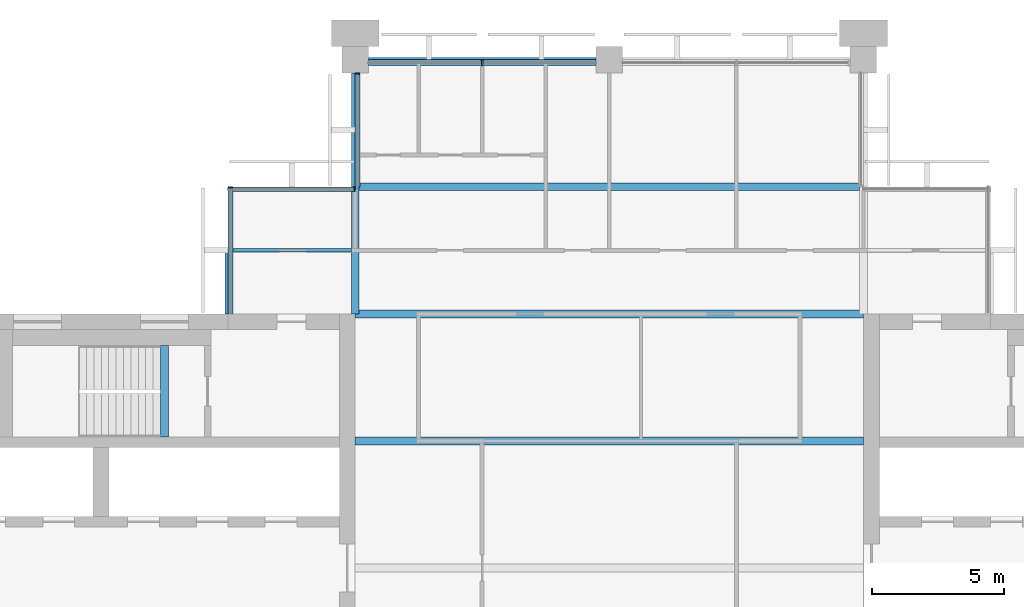
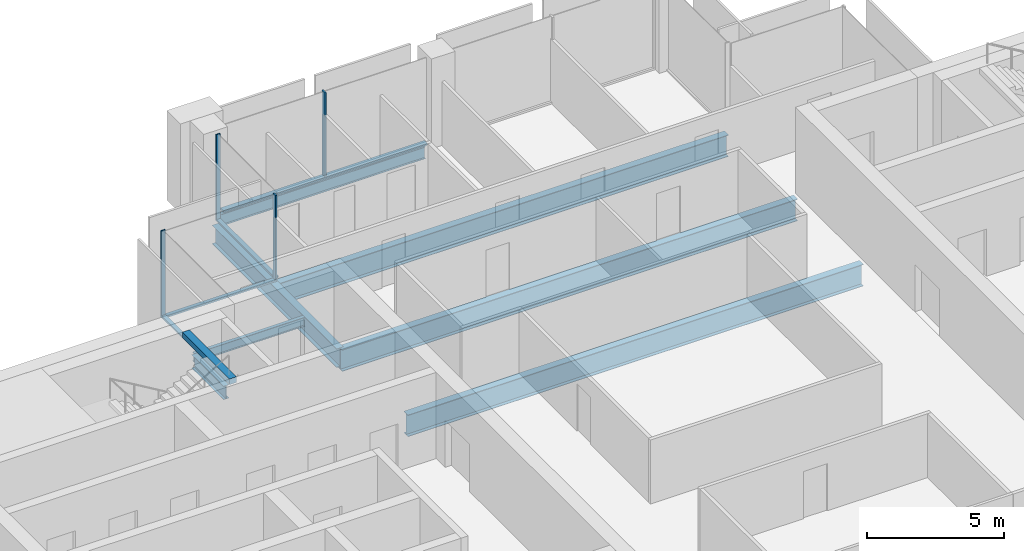
# One storey, part 5 of 13: 8 beams, 8 members, 4 elements without a shape of their own.
"""IFC4 building model written with IfcOpenShell, lengths in metres."""

from ifc_helpers import new_model, si_unit, direction, frame, origin, origin_2d, place, context, subcontext, project, spatial, rectangle, i_section, extrude, material, material_profile, profile_set, type_object, element, aggregate, save


model = new_model("IFC4")

# Units and contexts
model_context = context("Model", 3, precision=1e-05, world=origin(), true_north=direction((0.0, 1.0)))
body_context = subcontext(model_context, "Body", "Model", "MODEL_VIEW")
ifc_project = project(units=[si_unit("LENGTHUNIT", "METRE"), si_unit("AREAUNIT", "SQUARE_METRE"), si_unit("VOLUMEUNIT", "CUBIC_METRE"), si_unit("PLANEANGLEUNIT", "RADIAN"), si_unit("MASSUNIT", "GRAM", prefix="KILO")], contexts=[model_context])

# Site, building, storey
site_placement = place(None, origin())
site = spatial("IfcSite", under=ifc_project, at=site_placement, CompositionType="ELEMENT")
building_placement = place(site_placement, origin())
building = spatial("IfcBuilding", under=site, at=building_placement, Name="Baori Bourse Tower", CompositionType="ELEMENT")
storey_placement = place(building_placement, frame((0.0, 0.0, 346.300048828125)))
storey = spatial("IfcBuildingStorey", under=building, at=storey_placement, Name="L77", CompositionType="ELEMENT", Elevation=346.300048828125)

# Curtain wall, member
ifc_material_1 = material(Name="Pale anodised aluminium", Category="aluminium")
curtain_wall_type_1 = type_object("IfcCurtainWallType", Name="CW2 Curtain wall", PredefinedType="NOTDEFINED", material=ifc_material_1)
curtain_wall_1_placement = place(storey_placement, origin())
curtain_wall_1 = element("IfcCurtainWall", 1, at=curtain_wall_1_placement, inside=storey, type_object=curtain_wall_type_1, Name="Curtain wall CW2 L77 5", PredefinedType="NOTDEFINED")
ifc_material_2 = material(Name="Pale anodised aluminium", Category="aluminium")
ifc_material_profile_1 = material_profile(ifc_material_2, rectangle(XDim=0.179931640625, YDim=0.054931640625, at=origin_2d()), Name="Mullion 55x180")
ifc_profile_set_1 = profile_set([ifc_material_profile_1], Name="Pale anodised aluminium")
member_type_1 = type_object("IfcMemberType", Name="CW2 Curtain wall mullion", PredefinedType="MULLION", material=ifc_profile_set_1)
member_1_placement = place(storey_placement, frame((19.2900390625, 47.472412109375, 0.070068359375), z_axis=(0.0, 0.0, 1.0), x_axis=(1.0, 0.0, 0.0)))
member_1 = element("IfcMember", 2, at=member_1_placement, type_object=member_type_1, Name="Curtain wall CW2 mullion", PredefinedType="MULLION", context=body_context, shape_type="SweptSolid", body=[
    extrude(rectangle(XDim=0.179931640625, YDim=0.054931640625, at=origin_2d()), origin(), (0.0, 0.0, 1.0), 3.769775390625),
])

curtain_wall_2_placement = place(storey_placement, origin())
curtain_wall_2 = element("IfcCurtainWall", 3, at=curtain_wall_2_placement, inside=storey, type_object=curtain_wall_type_1, Name="Curtain wall CW2 L77 6", PredefinedType="NOTDEFINED")
member_2_placement = place(storey_placement, frame((19.172607421875, 43.110107421875, 0.070068359375), z_axis=(0.0, 0.0, 1.0), x_axis=(0.0, -1.0, 0.0)))
member_2 = element("IfcMember", 4, at=member_2_placement, type_object=member_type_1, Name="Curtain wall CW2 mullion", PredefinedType="MULLION", context=body_context, shape_type="SweptSolid", body=[
    extrude(rectangle(XDim=0.179931640625, YDim=0.054931640625, at=origin_2d()), origin(), (0.0, 0.0, 1.0), 3.769775390625),
])

curtain_wall_3_placement = place(storey_placement, origin())
curtain_wall_3 = element("IfcCurtainWall", 5, at=curtain_wall_3_placement, inside=storey, type_object=curtain_wall_type_1, Name="Curtain wall CW2 L77 7", PredefinedType="NOTDEFINED")
member_3_placement = place(storey_placement, frame((14.489990234375, 43.172607421875, 0.070068359375), z_axis=(0.0, 0.0, 1.0), x_axis=(1.0, 0.0, 0.0)))
member_3 = element("IfcMember", 6, at=member_3_placement, type_object=member_type_1, Name="Curtain wall CW2 mullion", PredefinedType="MULLION", context=body_context, shape_type="SweptSolid", body=[
    extrude(rectangle(XDim=0.179931640625, YDim=0.054931640625, at=origin_2d()), origin(), (0.0, 0.0, 1.0), 3.769775390625),
])

# Member
ifc_material_3 = material(Name="Pale anodised aluminium", Category="aluminium")
ifc_material_profile_2 = material_profile(ifc_material_3, rectangle(XDim=0.179931640625, YDim=0.070068359375, at=origin_2d()), Name="Transom 70x180")
ifc_profile_set_2 = profile_set([ifc_material_profile_2], Name="Pale anodised aluminium")
member_type_2 = type_object("IfcMemberType", Name="CW2 Curtain wall transom", PredefinedType="USERDEFINED", material=ifc_profile_set_2)
member_4_placement = place(storey_placement, frame((19.2900390625, 47.5, 0.034912109375), z_axis=(0.0, -1.0, 0.0), x_axis=(1.0, 0.0, 0.0)))
member_4 = element("IfcMember", 7, at=member_4_placement, type_object=member_type_2, Name="Curtain wall CW2 sill rail", ObjectType="TRANSOM", PredefinedType="USERDEFINED", context=body_context, shape_type="SweptSolid", body=[
    extrude(rectangle(XDim=0.179931640625, YDim=0.070068359375, at=origin_2d()), origin(), (0.0, 0.0, 1.0), 4.300048828125),
])

aggregate(curtain_wall_1, [member_4, member_1])

member_5_placement = place(storey_placement, frame((19.199951171875, 43.110107421875, 0.034912109375), z_axis=(-1.0, 0.0, 0.0), x_axis=(0.0, -1.0, 0.0)))
member_5 = element("IfcMember", 8, at=member_5_placement, type_object=member_type_2, Name="Curtain wall CW2 sill rail", ObjectType="TRANSOM", PredefinedType="USERDEFINED", context=body_context, shape_type="SweptSolid", body=[
    extrude(rectangle(XDim=0.179931640625, YDim=0.070068359375, at=origin_2d()), origin(), (0.0, 0.0, 1.0), 4.800048828125),
])

aggregate(curtain_wall_2, [member_5, member_2])

member_6_placement = place(storey_placement, frame((14.489990234375, 43.199951171875, 0.034912109375), z_axis=(0.0, -1.0, 0.0), x_axis=(1.0, 0.0, 0.0)))
member_6 = element("IfcMember", 9, at=member_6_placement, type_object=member_type_2, Name="Curtain wall CW2 sill rail", ObjectType="TRANSOM", PredefinedType="USERDEFINED", context=body_context, shape_type="SweptSolid", body=[
    extrude(rectangle(XDim=0.179931640625, YDim=0.070068359375, at=origin_2d()), origin(), (0.0, 0.0, 1.0), 4.800048828125),
])

aggregate(curtain_wall_3, [member_6, member_3])

# Curtain wall, members
ifc_material_4 = material(Name="Pale anodised aluminium", Category="aluminium")
curtain_wall_type_2 = type_object("IfcCurtainWallType", Name="CW5 Curtain wall", PredefinedType="NOTDEFINED", material=ifc_material_4)
curtain_wall_4_placement = place(storey_placement, origin())
curtain_wall_4 = element("IfcCurtainWall", 10, at=curtain_wall_4_placement, inside=storey, type_object=curtain_wall_type_2, Name="Curtain wall CW5 L77 4", PredefinedType="NOTDEFINED")
ifc_material_5 = material(Name="Pale anodised aluminium", Category="aluminium")
ifc_material_profile_3 = material_profile(ifc_material_5, rectangle(XDim=0.219970703125, YDim=0.06494140625, at=origin_2d()), Name="Mullion 65x220")
ifc_profile_set_3 = profile_set([ifc_material_profile_3], Name="Pale anodised aluminium")
member_type_3 = type_object("IfcMemberType", Name="CW5 Curtain wall mullion", PredefinedType="MULLION", material=ifc_profile_set_3)
member_7_placement = place(storey_placement, frame((24.0, 47.889892578125, 0.0849609375), z_axis=(0.0, 0.0, 1.0), x_axis=(0.0, -1.0, 0.0)))
member_7 = element("IfcMember", 11, at=member_7_placement, type_object=member_type_3, Name="Curtain wall CW5 mullion", PredefinedType="MULLION", context=body_context, shape_type="SweptSolid", body=[
    extrude(rectangle(XDim=0.219970703125, YDim=0.06494140625, at=origin_2d()), origin(), (0.0, 0.0, 1.0), 3.7548828125),
])
ifc_material_6 = material(Name="Pale anodised aluminium", Category="aluminium")
ifc_material_profile_4 = material_profile(ifc_material_6, rectangle(XDim=0.219970703125, YDim=0.0849609375, at=origin_2d()), Name="Transom 85x220")
ifc_profile_set_4 = profile_set([ifc_material_profile_4], Name="Pale anodised aluminium")
member_type_4 = type_object("IfcMemberType", Name="CW5 Curtain wall transom", PredefinedType="USERDEFINED", material=ifc_profile_set_4)
member_8_placement = place(storey_placement, frame((28.300048828125, 47.889892578125, 0.04248046875), z_axis=(-1.0, 0.0, 0.0), x_axis=(0.0, -1.0, 0.0)))
member_8 = element("IfcMember", 12, at=member_8_placement, type_object=member_type_4, Name="Curtain wall CW5 sill rail", ObjectType="TRANSOM", PredefinedType="USERDEFINED", context=body_context, shape_type="SweptSolid", body=[
    extrude(rectangle(XDim=0.219970703125, YDim=0.0849609375, at=origin_2d()), origin(), (0.0, 0.0, 1.0), 8.60009765625),
])
aggregate(curtain_wall_4, [member_8, member_7])

# Beams
ifc_material_7 = material(Name="Steel A992 Gr 50", Category="steel")
ifc_material_profile_5 = material_profile(ifc_material_7, i_section(OverallWidth=0.227783203125, OverallDepth=0.60205078125, WebThickness=0.010498046875, FlangeThickness=0.014892578125, at=origin_2d()), Name="W24x68")
ifc_profile_set_5 = profile_set([ifc_material_profile_5], Name="Steel A992 Gr 50")
beam_type_1 = type_object("IfcBeamType", Name="Core bracket W24x68", PredefinedType="BEAM", material=ifc_profile_set_5)
beam_1_placement = place(storey_placement, frame((14.39990234375, 38.39990234375, -0.4609375), z_axis=(0.0, 1.0, 0.0), x_axis=(-1.0, 0.0, 0.0)))
element("IfcBeam", 13, at=beam_1_placement, inside=storey, type_object=beam_type_1, Name="Core bracket L77", PredefinedType="BEAM", context=body_context, shape_type="SweptSolid", body=[
    extrude(i_section(OverallWidth=0.227783203125, OverallDepth=0.60205078125, WebThickness=0.010498046875, FlangeThickness=0.014892578125, at=origin_2d()), origin(), (0.0, 0.0, 1.0), 2.329833984375),
])
ifc_material_8 = material(Name="Steel A992 Gr 50", Category="steel")
ifc_material_profile_6 = material_profile(ifc_material_8, i_section(OverallWidth=0.1650390625, OverallDepth=0.52587890625, WebThickness=0.0087890625, FlangeThickness=0.011474609375, at=origin_2d()), Name="W21x44")
ifc_profile_set_6 = profile_set([ifc_material_profile_6], Name="Steel A992 Gr 50")
beam_type_2 = type_object("IfcBeamType", Name="Edge beam W21x44", PredefinedType="BEAM", material=ifc_profile_set_6)
beam_2_placement = place(storey_placement, frame((19.699951171875, 48.0, -0.4228515625), z_axis=(1.0, 0.0, 0.0), x_axis=(0.0, 1.0, 0.0)))
element("IfcBeam", 14, at=beam_2_placement, inside=storey, type_object=beam_type_2, Name="Edge beam L77", PredefinedType="BEAM", context=body_context, shape_type="SweptSolid", body=[
    extrude(i_section(OverallWidth=0.1650390625, OverallDepth=0.52587890625, WebThickness=0.0087890625, FlangeThickness=0.011474609375, at=origin_2d()), origin(), (0.0, 0.0, 1.0), 8.60009765625),
])
ifc_material_9 = material(Name="Steel A992 Gr 50", Category="steel")
ifc_material_profile_7 = material_profile(ifc_material_9, i_section(OverallWidth=0.2998046875, OverallDepth=0.97021484375, WebThickness=0.01611328125, FlangeThickness=0.02099609375, at=origin_2d()), Name="W40x149")
ifc_profile_set_7 = profile_set([ifc_material_profile_7], Name="Steel A992 Gr 50")
beam_type_3 = type_object("IfcBeamType", Name="Floor beam W40x149", PredefinedType="BEAM", material=ifc_profile_set_7)
for number, where, z_axis, x_axis, name in (
    (15, (19.199951171875, 33.60009765625, -0.645263671875), (1.0, 0.0, 0.0), (0.0, 1.0, 0.0), "Floor beam L77"),
    (16, (19.199951171875, 38.39990234375, -0.645263671875), (1.0, 0.0, 0.0), (0.0, 1.0, 0.0), "Floor beam L77"),
):
    element("IfcBeam", number, at=place(storey_placement, frame(where, z_axis=z_axis, x_axis=x_axis)), inside=storey, type_object=beam_type_3, Name=name, PredefinedType="BEAM", context=body_context, shape_type="SweptSolid", body=[
        extrude(i_section(OverallWidth=0.2998046875, OverallDepth=0.97021484375, WebThickness=0.01611328125, FlangeThickness=0.02099609375, at=origin_2d()), origin(), (0.0, 0.0, 1.0), 19.199951171875),
    ])
beam_3_placement = place(storey_placement, frame((19.345947265625, 43.199951171875, -0.645263671875), z_axis=(1.0, 0.0, 0.0), x_axis=(0.0, 1.0, 0.0)))
element("IfcBeam", 17, at=beam_3_placement, inside=storey, type_object=beam_type_3, Name="Floor beam L77", PredefinedType="BEAM", context=body_context, shape_type="SweptSolid", body=[
    extrude(i_section(OverallWidth=0.2998046875, OverallDepth=0.97021484375, WebThickness=0.01611328125, FlangeThickness=0.02099609375, at=origin_2d()), origin(), (0.0, 0.0, 1.0), 18.907958984375),
])
ifc_material_10 = material(Name="Steel A992 Gr 50", Category="steel")
ifc_material_profile_8 = material_profile(ifc_material_10, i_section(OverallWidth=0.2919921875, OverallDepth=0.835693359375, WebThickness=0.013916015625, FlangeThickness=0.018798828125, at=origin_2d()), Name="W33x118")
ifc_profile_set_8 = profile_set([ifc_material_profile_8], Name="Steel A992 Gr 50")
beam_type_4 = type_object("IfcBeamType", Name="Girder W33x118", PredefinedType="BEAM", material=ifc_profile_set_8)
beam_4_placement = place(storey_placement, frame((19.199951171875, 38.39990234375, -0.577880859375), z_axis=(0.0, 1.0, 0.0), x_axis=(-1.0, 0.0, 0.0)))
element("IfcBeam", 18, at=beam_4_placement, inside=storey, type_object=beam_type_4, Name="Girder L77", PredefinedType="BEAM", context=body_context, shape_type="SweptSolid", body=[
    extrude(i_section(OverallWidth=0.2919921875, OverallDepth=0.835693359375, WebThickness=0.013916015625, FlangeThickness=0.018798828125, at=origin_2d()), origin(), (0.0, 0.0, 1.0), 9.10009765625),
])
ifc_material_11 = material(Name="Concrete f'c 50 MPa", Category="concrete")
ifc_material_profile_9 = material_profile(ifc_material_11, rectangle(XDim=0.300048828125, YDim=0.25, at=origin_2d()), Name="RC 300x250")
ifc_profile_set_9 = profile_set([ifc_material_profile_9], Name="Concrete f'c 50 MPa")
beam_type_5 = type_object("IfcBeamType", Name="Stair nib beam RC 300x250", PredefinedType="BEAM", material=ifc_profile_set_9)
beam_5_placement = place(storey_placement, frame((12.0, 33.75, 3.71484375), z_axis=(0.0, 1.0, 0.0), x_axis=(-1.0, 0.0, 0.0)))
element("IfcBeam", 19, at=beam_5_placement, inside=storey, type_object=beam_type_5, Name="Stair WB nib beam L78", PredefinedType="BEAM", context=body_context, shape_type="SweptSolid", body=[
    extrude(rectangle(XDim=0.300048828125, YDim=0.25, at=origin_2d()), origin(), (0.0, 0.0, 1.0), 3.449951171875),
])
ifc_material_12 = material(Name="Steel A992 Gr 50", Category="steel")
ifc_material_profile_10 = material_profile(ifc_material_12, i_section(OverallWidth=0.140380859375, OverallDepth=0.40380859375, WebThickness=0.007080078125, FlangeThickness=0.01123046875, at=origin_2d()), Name="W16x31")
ifc_profile_set_10 = profile_set([ifc_material_profile_10], Name="Steel A992 Gr 50")
beam_type_6 = type_object("IfcBeamType", Name="Trimmer beam W16x31", PredefinedType="BEAM", material=ifc_profile_set_10)
beam_6_placement = place(storey_placement, frame((14.39990234375, 40.800048828125, -0.362060546875), z_axis=(1.0, 0.0, 0.0), x_axis=(0.0, 1.0, 0.0)))
element("IfcBeam", 20, at=beam_6_placement, inside=storey, type_object=beam_type_6, Name="Trimmer beam L77", PredefinedType="BEAM", context=body_context, shape_type="SweptSolid", body=[
    extrude(i_section(OverallWidth=0.140380859375, OverallDepth=0.40380859375, WebThickness=0.007080078125, FlangeThickness=0.01123046875, at=origin_2d()), origin(), (0.0, 0.0, 1.0), 4.654052734375),
])

save(model, "model.ifc")
